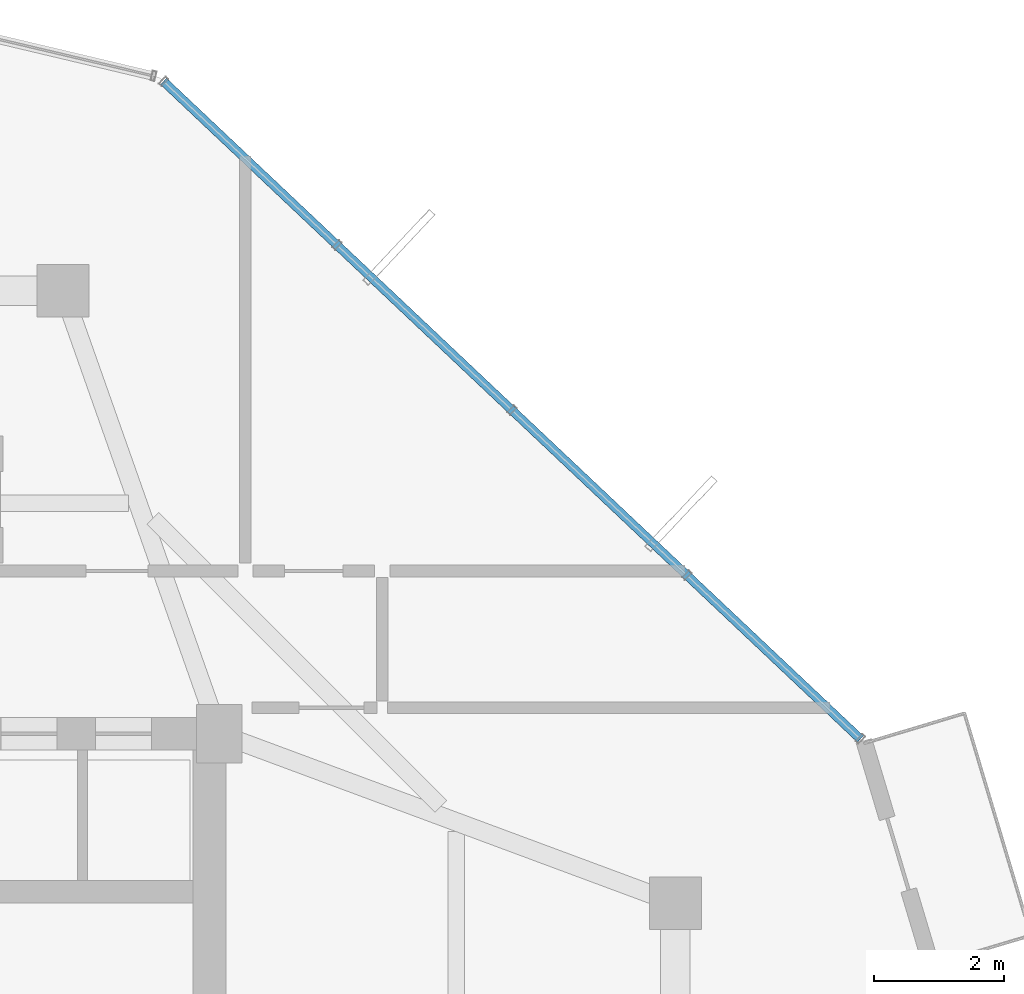
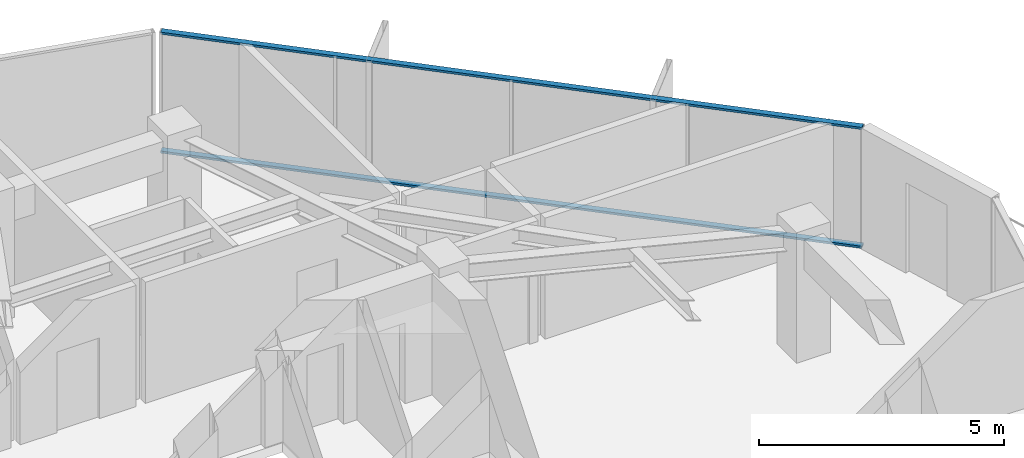
# One storey, part 16 of 28: 2 members, 1 element without a shape of its own.
"""IFC4 building model written with IfcOpenShell, lengths in metres."""

from ifc_helpers import new_model, si_unit, direction, frame, origin, origin_2d, place, context, subcontext, project, spatial, hollow_rectangle, extrude, source, transform, mapped, material, layer, layer_set, material_profile, profile_set, type_object, element, aggregate, save


model = new_model("IFC4")

# Units and contexts
model_context = context("Model", 3, precision=1e-05, world=origin(), true_north=direction((0.0, 1.0)))
body_context = subcontext(model_context, "Body", "Model", "MODEL_VIEW")
ifc_project = project(units=[si_unit("LENGTHUNIT", "METRE"), si_unit("AREAUNIT", "SQUARE_METRE"), si_unit("VOLUMEUNIT", "CUBIC_METRE"), si_unit("PLANEANGLEUNIT", "RADIAN"), si_unit("MASSUNIT", "GRAM", prefix="KILO")], contexts=[model_context])

# Site, building, storey
site_placement = place(None, origin())
site = spatial("IfcSite", under=ifc_project, at=site_placement, CompositionType="ELEMENT")
building_placement = place(site_placement, origin())
building = spatial("IfcBuilding", under=site, at=building_placement, Name="Veraguas Prism Commons", CompositionType="ELEMENT")
storey_placement = place(building_placement, frame((0.0, 0.0, 254.5)))
storey = spatial("IfcBuildingStorey", under=building, at=storey_placement, Name="L72", CompositionType="ELEMENT", Elevation=254.5)

# Curtain wall, members
ifc_material = material(Name="Anodised aluminium EN AW-6063 T6", Category="aluminium")
ifc_layer = layer(ifc_material, 0.14990234375, Name="Unitised Flush Curtain Wall Zone 4", Category="aluminium")
ifc_layer_set = layer_set([ifc_layer], Name="Anodised aluminium EN AW-6063 T6")
curtain_wall_type = type_object("IfcCurtainWallType", Name="Unitised Flush Curtain Wall Zone 4", PredefinedType="NOTDEFINED", material=ifc_layer_set)
curtain_wall_placement = place(storey_placement, origin())
curtain_wall = element("IfcCurtainWall", 1, at=curtain_wall_placement, inside=storey, type_object=curtain_wall_type, Name="Tower Facade Curtain Wall L72-F1", PredefinedType="NOTDEFINED")
ifc_material_profile = material_profile(ifc_material, hollow_rectangle(XDim=0.054931640625, YDim=0.135009765625, WallThickness=0.0029296875, at=origin_2d()), Name="AL55X135X3")
ifc_profile_set = profile_set([ifc_material_profile], Name="Anodised aluminium EN AW-6063 T6")
member_type = type_object("IfcMemberType", Name="Curtain Wall Transom Standard AL 55x135x3", PredefinedType="USERDEFINED", material=ifc_profile_set)
shared_shape = source(origin(), body_context, "Body", "SweptSolid", [
    extrude(hollow_rectangle(XDim=0.054931640625, YDim=0.135009765625, WallThickness=0.0029296875, at=origin_2d()), origin(), (0.0, 0.0, 1.0), 14.706298828125),
])
member_1_placement = place(storey_placement, frame((40.64111328125, 30.920654296875, 0.027587890625), z_axis=(-0.727295770641, 0.686324166854, 0.0), x_axis=(0.0, 0.0, 1.0)))
member_1 = element("IfcMember", 2, at=member_1_placement, type_object=member_type, Name="CW-Z4 Transom 1", ObjectType="TRANSOM", PredefinedType="USERDEFINED", context=body_context, shape_type="MappedRepresentation", body=[
    mapped(shared_shape, transform((0.0, 0.0, 0.0), scale=1.0)),
])
member_2_placement = place(storey_placement, frame((40.64111328125, 30.920654296875, 2.987548828125), z_axis=(-0.727295770641, 0.686324166854, 0.0), x_axis=(0.0, 0.0, 1.0)))
member_2 = element("IfcMember", 3, at=member_2_placement, type_object=member_type, Name="CW-Z4 Transom 2", ObjectType="TRANSOM", PredefinedType="USERDEFINED", context=body_context, shape_type="MappedRepresentation", body=[
    mapped(shared_shape, transform((0.0, 0.0, 0.0), scale=1.0)),
])
aggregate(curtain_wall, [member_1, member_2])

save(model, "model.ifc")
